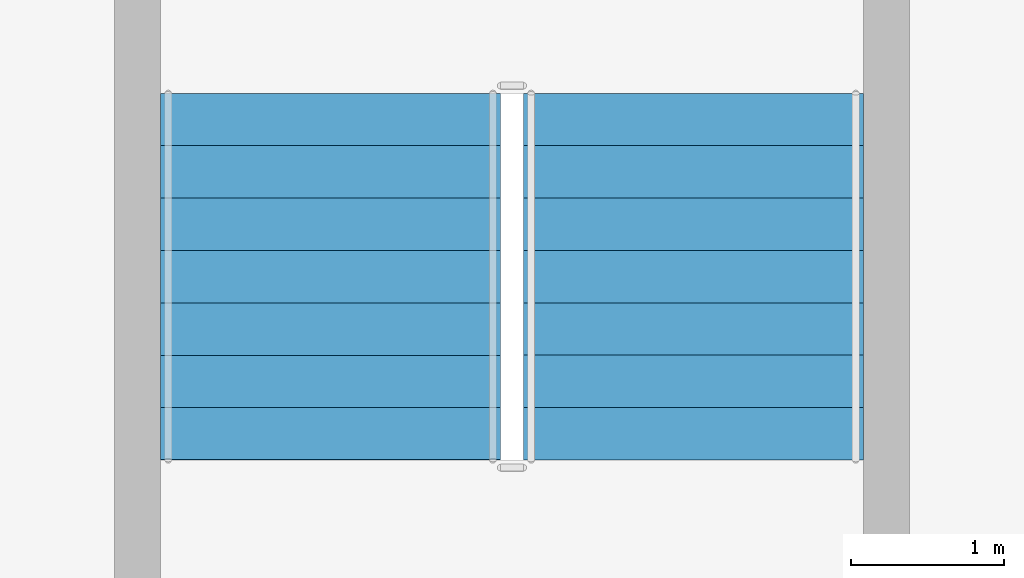
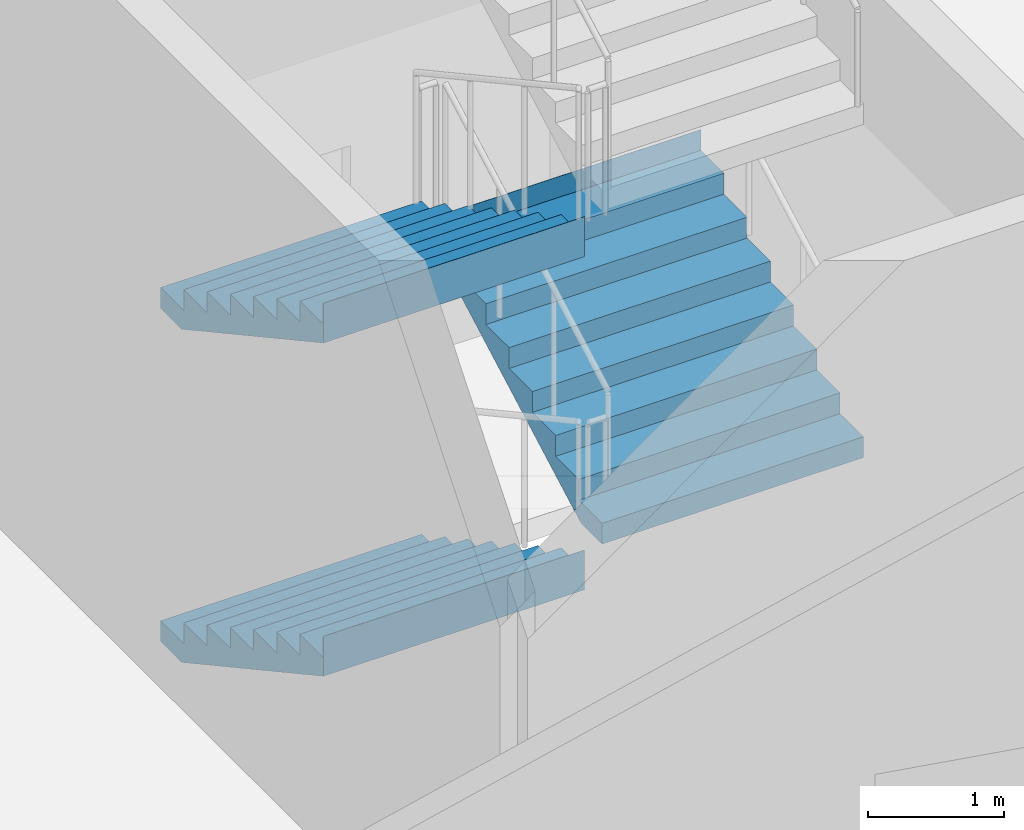
# One storey, part 27 of 37: 3 stair flights, 1 element without a shape of its own.
"""IFC4 building model written with IfcOpenShell, lengths in metres."""

from ifc_helpers import new_model, si_unit, direction, frame, origin, place, context, subcontext, project, spatial, triangles, material, type_object, element, aggregate, save


model = new_model("IFC4")

# Units and contexts
model_context = context("Model", 3, precision=1e-05, world=origin(), true_north=direction((0.0, 1.0)))
body_context = subcontext(model_context, "Body", "Model", "MODEL_VIEW")
ifc_project = project(units=[si_unit("LENGTHUNIT", "METRE"), si_unit("AREAUNIT", "SQUARE_METRE"), si_unit("VOLUMEUNIT", "CUBIC_METRE"), si_unit("PLANEANGLEUNIT", "RADIAN"), si_unit("MASSUNIT", "GRAM", prefix="KILO")], contexts=[model_context])

# Site, building, storey
site_placement = place(None, origin())
site = spatial("IfcSite", under=ifc_project, at=site_placement, CompositionType="ELEMENT")
building_placement = place(site_placement, origin())
building = spatial("IfcBuilding", under=site, at=building_placement, Name="Sahrelin Media Tower", CompositionType="ELEMENT")
storey_placement = place(building_placement, frame((0.0, 0.0, 31.39990234375)))
storey = spatial("IfcBuildingStorey", under=building, at=storey_placement, Name="L04", CompositionType="ELEMENT", Elevation=31.39990234375)

# Stair, stair flights
ifc_material = material(Name="Concrete C40/50", Category="concrete")
stair_type = type_object("IfcStairType", Name="Podium stair 2225", PredefinedType="HALF_TURN_STAIR", material=ifc_material)
stair_placement = place(storey_placement, origin())
stair = element("IfcStair", 1, at=stair_placement, inside=storey, type_object=stair_type, Name="L04 Podium stair PS3", PredefinedType="HALF_TURN_STAIR")
stair_flight_type = type_object("IfcStairFlightType", Name="Stair flight 2225", PredefinedType="STRAIGHT", material=ifc_material)
stair_flight_1_placement = place(storey_placement, frame((-11.83740234375, -30.625, 0.0), z_axis=(0.0, 0.0, 1.0), x_axis=(0.0, -1.0, 0.0)))
stair_flight_1 = element("IfcStairFlight", 2, at=stair_flight_1_placement, type_object=stair_flight_type, Name="PS3 flight 1", NumberOfRisers=8, NumberOfTreads=7, PredefinedType="STRAIGHT", RiserHeight=0.1875, TreadLength=0.342857143, context=body_context, shape_type="Tessellation", body=[
    triangles([(0.3125, 1.112548828125, 0.0), (0.3125, 0.794677734375, 0.0), (0.3125, 0.476806640625, 0.0), (0.3125, 0.158935546875, 0.0), (0.3125, -0.158935546875, 0.0), (0.3125, -0.476806640625, 0.0), (0.3125, -0.794677734375, 0.0), (0.3125, -1.112548828125, 0.0), (2.39990234375, 1.112548828125, 1.1416015625), (2.39990234375, 0.794677734375, 1.1416015625), (2.39990234375, 0.476806640625, 1.1416015625), (2.39990234375, 0.158935546875, 1.1416015625), (2.39990234375, -0.158935546875, 1.1416015625), (2.39990234375, -0.476806640625, 1.1416015625), (2.39990234375, -0.794677734375, 1.1416015625), (2.39990234375, -1.112548828125, 1.1416015625), (2.39990234375, 1.112548828125, 1.5), (2.39990234375, 0.794677734375, 1.5), (2.39990234375, 0.476806640625, 1.5), (2.39990234375, 0.158935546875, 1.5), (2.39990234375, -0.158935546875, 1.5), (2.39990234375, -0.476806640625, 1.5), (2.39990234375, -0.794677734375, 1.5), (2.39990234375, -1.112548828125, 1.5), (2.39794921875, 1.112548828125, 1.5), (2.39794921875, 0.794677734375, 1.5), (2.39794921875, 0.476806640625, 1.5), (2.39794921875, 0.158935546875, 1.5), (2.39794921875, -0.158935546875, 1.5), (2.39794921875, -0.476806640625, 1.5), (2.39794921875, -0.794677734375, 1.5), (2.39794921875, -1.112548828125, 1.5), (2.39794921875, 1.112548828125, 1.3125), (2.39794921875, 0.794677734375, 1.3125), (2.39794921875, 0.476806640625, 1.3125), (2.39794921875, 0.158935546875, 1.3125), (2.39794921875, -0.158935546875, 1.3125), (2.39794921875, -0.476806640625, 1.3125), (2.39794921875, -0.794677734375, 1.3125), (2.39794921875, -1.112548828125, 1.3125), (2.05712890625, 1.112548828125, 1.3125), (2.05712890625, 0.794677734375, 1.3125), (2.05712890625, 0.476806640625, 1.3125), (2.05712890625, 0.158935546875, 1.3125), (2.05712890625, -0.158935546875, 1.3125), (2.05712890625, -0.476806640625, 1.3125), (2.05712890625, -0.794677734375, 1.3125), (2.05712890625, -1.112548828125, 1.3125), (2.05712890625, 1.112548828125, 1.125), (2.05712890625, 0.794677734375, 1.125), (2.05712890625, 0.476806640625, 1.125), (2.05712890625, 0.158935546875, 1.125), (2.05712890625, -0.158935546875, 1.125), (2.05712890625, -0.476806640625, 1.125), (2.05712890625, -0.794677734375, 1.125), (2.05712890625, -1.112548828125, 1.125), (1.71435546875, 1.112548828125, 1.125), (1.71435546875, 0.794677734375, 1.125), (1.71435546875, 0.476806640625, 1.125), (1.71435546875, 0.158935546875, 1.125), (1.71435546875, -0.158935546875, 1.125), (1.71435546875, -0.476806640625, 1.125), (1.71435546875, -0.794677734375, 1.125), (1.71435546875, -1.112548828125, 1.125), (1.71435546875, 1.112548828125, 0.9375), (1.71435546875, 0.794677734375, 0.9375), (1.71435546875, 0.476806640625, 0.9375), (1.71435546875, 0.158935546875, 0.9375), (1.71435546875, -0.158935546875, 0.9375), (1.71435546875, -0.476806640625, 0.9375), (1.71435546875, -0.794677734375, 0.9375), (1.71435546875, -1.112548828125, 0.9375), (1.371337890625, 1.112548828125, 0.9375), (1.371337890625, 0.794677734375, 0.9375), (1.371337890625, 0.476806640625, 0.9375), (1.371337890625, 0.158935546875, 0.9375), (1.371337890625, -0.158935546875, 0.9375), (1.371337890625, -0.476806640625, 0.9375), (1.371337890625, -0.794677734375, 0.9375), (1.371337890625, -1.112548828125, 0.9375), (1.371337890625, 1.112548828125, 0.75), (1.371337890625, 0.794677734375, 0.75), (1.371337890625, 0.476806640625, 0.75), (1.371337890625, 0.158935546875, 0.75), (1.371337890625, -0.158935546875, 0.75), (1.371337890625, -0.476806640625, 0.75), (1.371337890625, -0.794677734375, 0.75), (1.371337890625, -1.112548828125, 0.75), (1.028564453125, 1.112548828125, 0.75), (1.028564453125, 0.794677734375, 0.75), (1.028564453125, 0.476806640625, 0.75), (1.028564453125, 0.158935546875, 0.75), (1.028564453125, -0.158935546875, 0.75), (1.028564453125, -0.476806640625, 0.75), (1.028564453125, -0.794677734375, 0.75), (1.028564453125, -1.112548828125, 0.75), (1.028564453125, 1.112548828125, 0.5625), (1.028564453125, 0.794677734375, 0.5625), (1.028564453125, 0.476806640625, 0.5625), (1.028564453125, 0.158935546875, 0.5625), (1.028564453125, -0.158935546875, 0.5625), (1.028564453125, -0.476806640625, 0.5625), (1.028564453125, -0.794677734375, 0.5625), (1.028564453125, -1.112548828125, 0.5625), (0.685791015625, 1.112548828125, 0.5625), (0.685791015625, 0.794677734375, 0.5625), (0.685791015625, 0.476806640625, 0.5625), (0.685791015625, 0.158935546875, 0.5625), (0.685791015625, -0.158935546875, 0.5625), (0.685791015625, -0.476806640625, 0.5625), (0.685791015625, -0.794677734375, 0.5625), (0.685791015625, -1.112548828125, 0.5625), (0.685791015625, 1.112548828125, 0.375), (0.685791015625, 0.794677734375, 0.375), (0.685791015625, 0.476806640625, 0.375), (0.685791015625, 0.158935546875, 0.375), (0.685791015625, -0.158935546875, 0.375), (0.685791015625, -0.476806640625, 0.375), (0.685791015625, -0.794677734375, 0.375), (0.685791015625, -1.112548828125, 0.375), (0.3427734375, 1.112548828125, 0.375), (0.3427734375, 0.794677734375, 0.375), (0.3427734375, 0.476806640625, 0.375), (0.3427734375, 0.158935546875, 0.375), (0.3427734375, -0.158935546875, 0.375), (0.3427734375, -0.476806640625, 0.375), (0.3427734375, -0.794677734375, 0.375), (0.3427734375, -1.112548828125, 0.375), (0.3427734375, 1.112548828125, 0.1875), (0.3427734375, 0.794677734375, 0.1875), (0.3427734375, 0.476806640625, 0.1875), (0.3427734375, 0.158935546875, 0.1875), (0.3427734375, -0.158935546875, 0.1875), (0.3427734375, -0.476806640625, 0.1875), (0.3427734375, -0.794677734375, 0.1875), (0.3427734375, -1.112548828125, 0.1875), (0.0, 1.112548828125, 0.1875), (0.0, 0.794677734375, 0.1875), (0.0, 0.476806640625, 0.1875), (0.0, 0.158935546875, 0.1875), (0.0, -0.158935546875, 0.1875), (0.0, -0.476806640625, 0.1875), (0.0, -0.794677734375, 0.1875), (0.0, -1.112548828125, 0.1875), (0.0, 1.112548828125, 0.0), (0.0, 0.794677734375, 0.0), (0.0, 0.476806640625, 0.0), (0.0, 0.158935546875, 0.0), (0.0, -0.158935546875, 0.0), (0.0, -0.476806640625, 0.0), (0.0, -0.794677734375, 0.0), (0.0, -1.112548828125, 0.0)], [[1, 9, 10], [1, 10, 2], [2, 10, 11], [2, 11, 3], [3, 11, 12], [3, 12, 4], [4, 12, 13], [4, 13, 5], [5, 13, 14], [5, 14, 6], [6, 14, 15], [6, 15, 7], [7, 15, 16], [7, 16, 8], [9, 17, 18], [9, 18, 10], [10, 18, 19], [10, 19, 11], [11, 19, 20], [11, 20, 12], [12, 20, 21], [12, 21, 13], [13, 21, 22], [13, 22, 14], [14, 22, 23], [14, 23, 15], [15, 23, 24], [15, 24, 16], [17, 25, 26], [17, 26, 18], [18, 26, 27], [18, 27, 19], [19, 27, 28], [19, 28, 20], [20, 28, 29], [20, 29, 21], [21, 29, 30], [21, 30, 22], [22, 30, 31], [22, 31, 23], [23, 31, 32], [23, 32, 24], [25, 33, 34], [25, 34, 26], [26, 34, 35], [26, 35, 27], [27, 35, 36], [27, 36, 28], [28, 36, 37], [28, 37, 29], [29, 37, 38], [29, 38, 30], [30, 38, 39], [30, 39, 31], [31, 39, 40], [31, 40, 32], [33, 41, 42], [33, 42, 34], [34, 42, 43], [34, 43, 35], [35, 43, 44], [35, 44, 36], [36, 44, 45], [36, 45, 37], [37, 45, 46], [37, 46, 38], [38, 46, 47], [38, 47, 39], [39, 47, 48], [39, 48, 40], [41, 49, 50], [41, 50, 42], [42, 50, 51], [42, 51, 43], [43, 51, 52], [43, 52, 44], [44, 52, 53], [44, 53, 45], [45, 53, 54], [45, 54, 46], [46, 54, 55], [46, 55, 47], [47, 55, 56], [47, 56, 48], [49, 57, 58], [49, 58, 50], [50, 58, 59], [50, 59, 51], [51, 59, 60], [51, 60, 52], [52, 60, 61], [52, 61, 53], [53, 61, 62], [53, 62, 54], [54, 62, 63], [54, 63, 55], [55, 63, 64], [55, 64, 56], [57, 65, 66], [57, 66, 58], [58, 66, 67], [58, 67, 59], [59, 67, 68], [59, 68, 60], [60, 68, 69], [60, 69, 61], [61, 69, 70], [61, 70, 62], [62, 70, 71], [62, 71, 63], [63, 71, 72], [63, 72, 64], [65, 73, 74], [65, 74, 66], [66, 74, 75], [66, 75, 67], [67, 75, 76], [67, 76, 68], [68, 76, 77], [68, 77, 69], [69, 77, 78], [69, 78, 70], [70, 78, 79], [70, 79, 71], [71, 79, 80], [71, 80, 72], [73, 81, 82], [73, 82, 74], [74, 82, 83], [74, 83, 75], [75, 83, 84], [75, 84, 76], [76, 84, 85], [76, 85, 77], [77, 85, 86], [77, 86, 78], [78, 86, 87], [78, 87, 79], [79, 87, 88], [79, 88, 80], [81, 89, 90], [81, 90, 82], [82, 90, 91], [82, 91, 83], [83, 91, 92], [83, 92, 84], [84, 92, 93], [84, 93, 85], [85, 93, 94], [85, 94, 86], [86, 94, 95], [86, 95, 87], [87, 95, 96], [87, 96, 88], [89, 97, 98], [89, 98, 90], [90, 98, 99], [90, 99, 91], [91, 99, 100], [91, 100, 92], [92, 100, 101], [92, 101, 93], [93, 101, 102], [93, 102, 94], [94, 102, 103], [94, 103, 95], [95, 103, 104], [95, 104, 96], [97, 105, 106], [97, 106, 98], [98, 106, 107], [98, 107, 99], [99, 107, 108], [99, 108, 100], [100, 108, 109], [100, 109, 101], [101, 109, 110], [101, 110, 102], [102, 110, 111], [102, 111, 103], [103, 111, 112], [103, 112, 104], [105, 113, 114], [105, 114, 106], [106, 114, 115], [106, 115, 107], [107, 115, 116], [107, 116, 108], [108, 116, 117], [108, 117, 109], [109, 117, 118], [109, 118, 110], [110, 118, 119], [110, 119, 111], [111, 119, 120], [111, 120, 112], [113, 121, 122], [113, 122, 114], [114, 122, 123], [114, 123, 115], [115, 123, 124], [115, 124, 116], [116, 124, 125], [116, 125, 117], [117, 125, 126], [117, 126, 118], [118, 126, 127], [118, 127, 119], [119, 127, 128], [119, 128, 120], [121, 129, 130], [121, 130, 122], [122, 130, 131], [122, 131, 123], [123, 131, 132], [123, 132, 124], [124, 132, 133], [124, 133, 125], [125, 133, 134], [125, 134, 126], [126, 134, 135], [126, 135, 127], [127, 135, 136], [127, 136, 128], [129, 137, 138], [129, 138, 130], [130, 138, 139], [130, 139, 131], [131, 139, 140], [131, 140, 132], [132, 140, 141], [132, 141, 133], [133, 141, 142], [133, 142, 134], [134, 142, 143], [134, 143, 135], [135, 143, 144], [135, 144, 136], [137, 145, 146], [137, 146, 138], [138, 146, 147], [138, 147, 139], [139, 147, 148], [139, 148, 140], [140, 148, 149], [140, 149, 141], [141, 149, 150], [141, 150, 142], [142, 150, 151], [142, 151, 143], [143, 151, 152], [143, 152, 144], [145, 1, 2], [145, 2, 146], [146, 2, 3], [146, 3, 147], [147, 3, 4], [147, 4, 148], [148, 4, 5], [148, 5, 149], [149, 5, 6], [149, 6, 150], [150, 6, 7], [150, 7, 151], [151, 7, 8], [151, 8, 152], [8, 144, 152], [1, 145, 137], [136, 120, 128], [129, 121, 113], [120, 104, 112], [113, 105, 97], [104, 88, 96], [97, 89, 81], [88, 72, 80], [81, 73, 65], [72, 56, 64], [65, 57, 49], [16, 40, 48], [9, 41, 33], [40, 24, 32], [33, 25, 17], [8, 136, 144], [1, 137, 129], [8, 88, 104], [1, 97, 81], [40, 16, 24], [33, 17, 9], [120, 136, 8], [113, 1, 129], [16, 72, 88], [9, 81, 65], [48, 56, 16], [41, 9, 49], [104, 120, 8], [97, 1, 113], [72, 16, 56], [65, 49, 9], [8, 16, 88], [1, 81, 9]], closed=True),
])
stair_flight_2_placement = place(storey_placement, frame((-9.46240234375, -33.02490234375, 1.5), z_axis=(0.0, 0.0, 1.0), x_axis=(0.0, 1.0, 0.0)))
stair_flight_2 = element("IfcStairFlight", 3, at=stair_flight_2_placement, type_object=stair_flight_type, Name="PS3 flight 2", NumberOfRisers=8, NumberOfTreads=7, PredefinedType="STRAIGHT", RiserHeight=0.1875, TreadLength=0.342857143, context=body_context, shape_type="Tessellation", body=[
    triangles([(0.3125, 1.112548828125, 0.0), (0.3125, 0.794677734375, 0.0), (0.3125, 0.476806640625, 0.0), (0.3125, 0.158935546875, 0.0), (0.3125, -0.158935546875, 0.0), (0.3125, -0.476806640625, 0.0), (0.3125, -0.794677734375, 0.0), (0.3125, -1.112548828125, 0.0), (2.39990234375, 1.112548828125, 1.1416015625), (2.39990234375, 0.794677734375, 1.1416015625), (2.39990234375, 0.476806640625, 1.1416015625), (2.39990234375, 0.158935546875, 1.1416015625), (2.39990234375, -0.158935546875, 1.1416015625), (2.39990234375, -0.476806640625, 1.1416015625), (2.39990234375, -0.794677734375, 1.1416015625), (2.39990234375, -1.112548828125, 1.1416015625), (2.39990234375, 1.112548828125, 1.5), (2.39990234375, 0.794677734375, 1.5), (2.39990234375, 0.476806640625, 1.5), (2.39990234375, 0.158935546875, 1.5), (2.39990234375, -0.158935546875, 1.5), (2.39990234375, -0.476806640625, 1.5), (2.39990234375, -0.794677734375, 1.5), (2.39990234375, -1.112548828125, 1.5), (2.39794921875, 1.112548828125, 1.5), (2.39794921875, 0.794677734375, 1.5), (2.39794921875, 0.476806640625, 1.5), (2.39794921875, 0.158935546875, 1.5), (2.39794921875, -0.158935546875, 1.5), (2.39794921875, -0.476806640625, 1.5), (2.39794921875, -0.794677734375, 1.5), (2.39794921875, -1.112548828125, 1.5), (2.39794921875, 1.112548828125, 1.3125), (2.39794921875, 0.794677734375, 1.3125), (2.39794921875, 0.476806640625, 1.3125), (2.39794921875, 0.158935546875, 1.3125), (2.39794921875, -0.158935546875, 1.3125), (2.39794921875, -0.476806640625, 1.3125), (2.39794921875, -0.794677734375, 1.3125), (2.39794921875, -1.112548828125, 1.3125), (2.05712890625, 1.112548828125, 1.3125), (2.05712890625, 0.794677734375, 1.3125), (2.05712890625, 0.476806640625, 1.3125), (2.05712890625, 0.158935546875, 1.3125), (2.05712890625, -0.158935546875, 1.3125), (2.05712890625, -0.476806640625, 1.3125), (2.05712890625, -0.794677734375, 1.3125), (2.05712890625, -1.112548828125, 1.3125), (2.05712890625, 1.112548828125, 1.125), (2.05712890625, 0.794677734375, 1.125), (2.05712890625, 0.476806640625, 1.125), (2.05712890625, 0.158935546875, 1.125), (2.05712890625, -0.158935546875, 1.125), (2.05712890625, -0.476806640625, 1.125), (2.05712890625, -0.794677734375, 1.125), (2.05712890625, -1.112548828125, 1.125), (1.71435546875, 1.112548828125, 1.125), (1.71435546875, 0.794677734375, 1.125), (1.71435546875, 0.476806640625, 1.125), (1.71435546875, 0.158935546875, 1.125), (1.71435546875, -0.158935546875, 1.125), (1.71435546875, -0.476806640625, 1.125), (1.71435546875, -0.794677734375, 1.125), (1.71435546875, -1.112548828125, 1.125), (1.71435546875, 1.112548828125, 0.9375), (1.71435546875, 0.794677734375, 0.9375), (1.71435546875, 0.476806640625, 0.9375), (1.71435546875, 0.158935546875, 0.9375), (1.71435546875, -0.158935546875, 0.9375), (1.71435546875, -0.476806640625, 0.9375), (1.71435546875, -0.794677734375, 0.9375), (1.71435546875, -1.112548828125, 0.9375), (1.371337890625, 1.112548828125, 0.9375), (1.371337890625, 0.794677734375, 0.9375), (1.371337890625, 0.476806640625, 0.9375), (1.371337890625, 0.158935546875, 0.9375), (1.371337890625, -0.158935546875, 0.9375), (1.371337890625, -0.476806640625, 0.9375), (1.371337890625, -0.794677734375, 0.9375), (1.371337890625, -1.112548828125, 0.9375), (1.371337890625, 1.112548828125, 0.75), (1.371337890625, 0.794677734375, 0.75), (1.371337890625, 0.476806640625, 0.75), (1.371337890625, 0.158935546875, 0.75), (1.371337890625, -0.158935546875, 0.75), (1.371337890625, -0.476806640625, 0.75), (1.371337890625, -0.794677734375, 0.75), (1.371337890625, -1.112548828125, 0.75), (1.028564453125, 1.112548828125, 0.75), (1.028564453125, 0.794677734375, 0.75), (1.028564453125, 0.476806640625, 0.75), (1.028564453125, 0.158935546875, 0.75), (1.028564453125, -0.158935546875, 0.75), (1.028564453125, -0.476806640625, 0.75), (1.028564453125, -0.794677734375, 0.75), (1.028564453125, -1.112548828125, 0.75), (1.028564453125, 1.112548828125, 0.5625), (1.028564453125, 0.794677734375, 0.5625), (1.028564453125, 0.476806640625, 0.5625), (1.028564453125, 0.158935546875, 0.5625), (1.028564453125, -0.158935546875, 0.5625), (1.028564453125, -0.476806640625, 0.5625), (1.028564453125, -0.794677734375, 0.5625), (1.028564453125, -1.112548828125, 0.5625), (0.685791015625, 1.112548828125, 0.5625), (0.685791015625, 0.794677734375, 0.5625), (0.685791015625, 0.476806640625, 0.5625), (0.685791015625, 0.158935546875, 0.5625), (0.685791015625, -0.158935546875, 0.5625), (0.685791015625, -0.476806640625, 0.5625), (0.685791015625, -0.794677734375, 0.5625), (0.685791015625, -1.112548828125, 0.5625), (0.685791015625, 1.112548828125, 0.375), (0.685791015625, 0.794677734375, 0.375), (0.685791015625, 0.476806640625, 0.375), (0.685791015625, 0.158935546875, 0.375), (0.685791015625, -0.158935546875, 0.375), (0.685791015625, -0.476806640625, 0.375), (0.685791015625, -0.794677734375, 0.375), (0.685791015625, -1.112548828125, 0.375), (0.3427734375, 1.112548828125, 0.375), (0.3427734375, 0.794677734375, 0.375), (0.3427734375, 0.476806640625, 0.375), (0.3427734375, 0.158935546875, 0.375), (0.3427734375, -0.158935546875, 0.375), (0.3427734375, -0.476806640625, 0.375), (0.3427734375, -0.794677734375, 0.375), (0.3427734375, -1.112548828125, 0.375), (0.3427734375, 1.112548828125, 0.1875), (0.3427734375, 0.794677734375, 0.1875), (0.3427734375, 0.476806640625, 0.1875), (0.3427734375, 0.158935546875, 0.1875), (0.3427734375, -0.158935546875, 0.1875), (0.3427734375, -0.476806640625, 0.1875), (0.3427734375, -0.794677734375, 0.1875), (0.3427734375, -1.112548828125, 0.1875), (0.0, 1.112548828125, 0.1875), (0.0, 0.794677734375, 0.1875), (0.0, 0.476806640625, 0.1875), (0.0, 0.158935546875, 0.1875), (0.0, -0.158935546875, 0.1875), (0.0, -0.476806640625, 0.1875), (0.0, -0.794677734375, 0.1875), (0.0, -1.112548828125, 0.1875), (0.0, 1.112548828125, 0.0), (0.0, 0.794677734375, 0.0), (0.0, 0.476806640625, 0.0), (0.0, 0.158935546875, 0.0), (0.0, -0.158935546875, 0.0), (0.0, -0.476806640625, 0.0), (0.0, -0.794677734375, 0.0), (0.0, -1.112548828125, 0.0)], [[1, 9, 10], [1, 10, 2], [2, 10, 11], [2, 11, 3], [3, 11, 12], [3, 12, 4], [4, 12, 13], [4, 13, 5], [5, 13, 14], [5, 14, 6], [6, 14, 15], [6, 15, 7], [7, 15, 16], [7, 16, 8], [9, 17, 18], [9, 18, 10], [10, 18, 19], [10, 19, 11], [11, 19, 20], [11, 20, 12], [12, 20, 21], [12, 21, 13], [13, 21, 22], [13, 22, 14], [14, 22, 23], [14, 23, 15], [15, 23, 24], [15, 24, 16], [17, 25, 26], [17, 26, 18], [18, 26, 27], [18, 27, 19], [19, 27, 28], [19, 28, 20], [20, 28, 29], [20, 29, 21], [21, 29, 30], [21, 30, 22], [22, 30, 31], [22, 31, 23], [23, 31, 32], [23, 32, 24], [25, 33, 34], [25, 34, 26], [26, 34, 35], [26, 35, 27], [27, 35, 36], [27, 36, 28], [28, 36, 37], [28, 37, 29], [29, 37, 38], [29, 38, 30], [30, 38, 39], [30, 39, 31], [31, 39, 40], [31, 40, 32], [33, 41, 42], [33, 42, 34], [34, 42, 43], [34, 43, 35], [35, 43, 44], [35, 44, 36], [36, 44, 45], [36, 45, 37], [37, 45, 46], [37, 46, 38], [38, 46, 47], [38, 47, 39], [39, 47, 48], [39, 48, 40], [41, 49, 50], [41, 50, 42], [42, 50, 51], [42, 51, 43], [43, 51, 52], [43, 52, 44], [44, 52, 53], [44, 53, 45], [45, 53, 54], [45, 54, 46], [46, 54, 55], [46, 55, 47], [47, 55, 56], [47, 56, 48], [49, 57, 58], [49, 58, 50], [50, 58, 59], [50, 59, 51], [51, 59, 60], [51, 60, 52], [52, 60, 61], [52, 61, 53], [53, 61, 62], [53, 62, 54], [54, 62, 63], [54, 63, 55], [55, 63, 64], [55, 64, 56], [57, 65, 66], [57, 66, 58], [58, 66, 67], [58, 67, 59], [59, 67, 68], [59, 68, 60], [60, 68, 69], [60, 69, 61], [61, 69, 70], [61, 70, 62], [62, 70, 71], [62, 71, 63], [63, 71, 72], [63, 72, 64], [65, 73, 74], [65, 74, 66], [66, 74, 75], [66, 75, 67], [67, 75, 76], [67, 76, 68], [68, 76, 77], [68, 77, 69], [69, 77, 78], [69, 78, 70], [70, 78, 79], [70, 79, 71], [71, 79, 80], [71, 80, 72], [73, 81, 82], [73, 82, 74], [74, 82, 83], [74, 83, 75], [75, 83, 84], [75, 84, 76], [76, 84, 85], [76, 85, 77], [77, 85, 86], [77, 86, 78], [78, 86, 87], [78, 87, 79], [79, 87, 88], [79, 88, 80], [81, 89, 90], [81, 90, 82], [82, 90, 91], [82, 91, 83], [83, 91, 92], [83, 92, 84], [84, 92, 93], [84, 93, 85], [85, 93, 94], [85, 94, 86], [86, 94, 95], [86, 95, 87], [87, 95, 96], [87, 96, 88], [89, 97, 98], [89, 98, 90], [90, 98, 99], [90, 99, 91], [91, 99, 100], [91, 100, 92], [92, 100, 101], [92, 101, 93], [93, 101, 102], [93, 102, 94], [94, 102, 103], [94, 103, 95], [95, 103, 104], [95, 104, 96], [97, 105, 106], [97, 106, 98], [98, 106, 107], [98, 107, 99], [99, 107, 108], [99, 108, 100], [100, 108, 109], [100, 109, 101], [101, 109, 110], [101, 110, 102], [102, 110, 111], [102, 111, 103], [103, 111, 112], [103, 112, 104], [105, 113, 114], [105, 114, 106], [106, 114, 115], [106, 115, 107], [107, 115, 116], [107, 116, 108], [108, 116, 117], [108, 117, 109], [109, 117, 118], [109, 118, 110], [110, 118, 119], [110, 119, 111], [111, 119, 120], [111, 120, 112], [113, 121, 122], [113, 122, 114], [114, 122, 123], [114, 123, 115], [115, 123, 124], [115, 124, 116], [116, 124, 125], [116, 125, 117], [117, 125, 126], [117, 126, 118], [118, 126, 127], [118, 127, 119], [119, 127, 128], [119, 128, 120], [121, 129, 130], [121, 130, 122], [122, 130, 131], [122, 131, 123], [123, 131, 132], [123, 132, 124], [124, 132, 133], [124, 133, 125], [125, 133, 134], [125, 134, 126], [126, 134, 135], [126, 135, 127], [127, 135, 136], [127, 136, 128], [129, 137, 138], [129, 138, 130], [130, 138, 139], [130, 139, 131], [131, 139, 140], [131, 140, 132], [132, 140, 141], [132, 141, 133], [133, 141, 142], [133, 142, 134], [134, 142, 143], [134, 143, 135], [135, 143, 144], [135, 144, 136], [137, 145, 146], [137, 146, 138], [138, 146, 147], [138, 147, 139], [139, 147, 148], [139, 148, 140], [140, 148, 149], [140, 149, 141], [141, 149, 150], [141, 150, 142], [142, 150, 151], [142, 151, 143], [143, 151, 152], [143, 152, 144], [145, 1, 2], [145, 2, 146], [146, 2, 3], [146, 3, 147], [147, 3, 4], [147, 4, 148], [148, 4, 5], [148, 5, 149], [149, 5, 6], [149, 6, 150], [150, 6, 7], [150, 7, 151], [151, 7, 8], [151, 8, 152], [8, 144, 152], [1, 145, 137], [136, 120, 128], [129, 121, 113], [120, 104, 112], [113, 105, 97], [104, 88, 96], [97, 89, 81], [88, 72, 80], [81, 73, 65], [72, 56, 64], [65, 57, 49], [16, 40, 48], [9, 41, 33], [40, 24, 32], [33, 25, 17], [8, 136, 144], [1, 137, 129], [8, 88, 104], [1, 97, 81], [40, 16, 24], [33, 17, 9], [120, 136, 8], [113, 1, 129], [16, 72, 88], [9, 81, 65], [48, 56, 16], [41, 9, 49], [104, 120, 8], [97, 1, 113], [72, 16, 56], [65, 49, 9], [8, 16, 88], [1, 81, 9]], closed=True),
])
stair_flight_3_placement = place(storey_placement, frame((-11.83740234375, -30.625, 3.0), z_axis=(0.0, 0.0, 1.0), x_axis=(0.0, -1.0, 0.0)))
stair_flight_3 = element("IfcStairFlight", 4, at=stair_flight_3_placement, type_object=stair_flight_type, Name="PS3 flight 3", NumberOfRisers=8, NumberOfTreads=7, PredefinedType="STRAIGHT", RiserHeight=0.1875, TreadLength=0.342857143, context=body_context, shape_type="Tessellation", body=[
    triangles([(0.3125, 1.112548828125, 0.0), (0.3125, 0.794677734375, 0.0), (0.3125, 0.476806640625, 0.0), (0.3125, 0.158935546875, 0.0), (0.3125, -0.158935546875, 0.0), (0.3125, -0.476806640625, 0.0), (0.3125, -0.794677734375, 0.0), (0.3125, -1.112548828125, 0.0), (2.39990234375, 1.112548828125, 1.1416015625), (2.39990234375, 0.794677734375, 1.1416015625), (2.39990234375, 0.476806640625, 1.1416015625), (2.39990234375, 0.158935546875, 1.1416015625), (2.39990234375, -0.158935546875, 1.1416015625), (2.39990234375, -0.476806640625, 1.1416015625), (2.39990234375, -0.794677734375, 1.1416015625), (2.39990234375, -1.112548828125, 1.1416015625), (2.39990234375, 1.112548828125, 1.5), (2.39990234375, 0.794677734375, 1.5), (2.39990234375, 0.476806640625, 1.5), (2.39990234375, 0.158935546875, 1.5), (2.39990234375, -0.158935546875, 1.5), (2.39990234375, -0.476806640625, 1.5), (2.39990234375, -0.794677734375, 1.5), (2.39990234375, -1.112548828125, 1.5), (2.39794921875, 1.112548828125, 1.5), (2.39794921875, 0.794677734375, 1.5), (2.39794921875, 0.476806640625, 1.5), (2.39794921875, 0.158935546875, 1.5), (2.39794921875, -0.158935546875, 1.5), (2.39794921875, -0.476806640625, 1.5), (2.39794921875, -0.794677734375, 1.5), (2.39794921875, -1.112548828125, 1.5), (2.39794921875, 1.112548828125, 1.3125), (2.39794921875, 0.794677734375, 1.3125), (2.39794921875, 0.476806640625, 1.3125), (2.39794921875, 0.158935546875, 1.3125), (2.39794921875, -0.158935546875, 1.3125), (2.39794921875, -0.476806640625, 1.3125), (2.39794921875, -0.794677734375, 1.3125), (2.39794921875, -1.112548828125, 1.3125), (2.05712890625, 1.112548828125, 1.3125), (2.05712890625, 0.794677734375, 1.3125), (2.05712890625, 0.476806640625, 1.3125), (2.05712890625, 0.158935546875, 1.3125), (2.05712890625, -0.158935546875, 1.3125), (2.05712890625, -0.476806640625, 1.3125), (2.05712890625, -0.794677734375, 1.3125), (2.05712890625, -1.112548828125, 1.3125), (2.05712890625, 1.112548828125, 1.125), (2.05712890625, 0.794677734375, 1.125), (2.05712890625, 0.476806640625, 1.125), (2.05712890625, 0.158935546875, 1.125), (2.05712890625, -0.158935546875, 1.125), (2.05712890625, -0.476806640625, 1.125), (2.05712890625, -0.794677734375, 1.125), (2.05712890625, -1.112548828125, 1.125), (1.71435546875, 1.112548828125, 1.125), (1.71435546875, 0.794677734375, 1.125), (1.71435546875, 0.476806640625, 1.125), (1.71435546875, 0.158935546875, 1.125), (1.71435546875, -0.158935546875, 1.125), (1.71435546875, -0.476806640625, 1.125), (1.71435546875, -0.794677734375, 1.125), (1.71435546875, -1.112548828125, 1.125), (1.71435546875, 1.112548828125, 0.9375), (1.71435546875, 0.794677734375, 0.9375), (1.71435546875, 0.476806640625, 0.9375), (1.71435546875, 0.158935546875, 0.9375), (1.71435546875, -0.158935546875, 0.9375), (1.71435546875, -0.476806640625, 0.9375), (1.71435546875, -0.794677734375, 0.9375), (1.71435546875, -1.112548828125, 0.9375), (1.371337890625, 1.112548828125, 0.9375), (1.371337890625, 0.794677734375, 0.9375), (1.371337890625, 0.476806640625, 0.9375), (1.371337890625, 0.158935546875, 0.9375), (1.371337890625, -0.158935546875, 0.9375), (1.371337890625, -0.476806640625, 0.9375), (1.371337890625, -0.794677734375, 0.9375), (1.371337890625, -1.112548828125, 0.9375), (1.371337890625, 1.112548828125, 0.75), (1.371337890625, 0.794677734375, 0.75), (1.371337890625, 0.476806640625, 0.75), (1.371337890625, 0.158935546875, 0.75), (1.371337890625, -0.158935546875, 0.75), (1.371337890625, -0.476806640625, 0.75), (1.371337890625, -0.794677734375, 0.75), (1.371337890625, -1.112548828125, 0.75), (1.028564453125, 1.112548828125, 0.75), (1.028564453125, 0.794677734375, 0.75), (1.028564453125, 0.476806640625, 0.75), (1.028564453125, 0.158935546875, 0.75), (1.028564453125, -0.158935546875, 0.75), (1.028564453125, -0.476806640625, 0.75), (1.028564453125, -0.794677734375, 0.75), (1.028564453125, -1.112548828125, 0.75), (1.028564453125, 1.112548828125, 0.5625), (1.028564453125, 0.794677734375, 0.5625), (1.028564453125, 0.476806640625, 0.5625), (1.028564453125, 0.158935546875, 0.5625), (1.028564453125, -0.158935546875, 0.5625), (1.028564453125, -0.476806640625, 0.5625), (1.028564453125, -0.794677734375, 0.5625), (1.028564453125, -1.112548828125, 0.5625), (0.685791015625, 1.112548828125, 0.5625), (0.685791015625, 0.794677734375, 0.5625), (0.685791015625, 0.476806640625, 0.5625), (0.685791015625, 0.158935546875, 0.5625), (0.685791015625, -0.158935546875, 0.5625), (0.685791015625, -0.476806640625, 0.5625), (0.685791015625, -0.794677734375, 0.5625), (0.685791015625, -1.112548828125, 0.5625), (0.685791015625, 1.112548828125, 0.375), (0.685791015625, 0.794677734375, 0.375), (0.685791015625, 0.476806640625, 0.375), (0.685791015625, 0.158935546875, 0.375), (0.685791015625, -0.158935546875, 0.375), (0.685791015625, -0.476806640625, 0.375), (0.685791015625, -0.794677734375, 0.375), (0.685791015625, -1.112548828125, 0.375), (0.3427734375, 1.112548828125, 0.375), (0.3427734375, 0.794677734375, 0.375), (0.3427734375, 0.476806640625, 0.375), (0.3427734375, 0.158935546875, 0.375), (0.3427734375, -0.158935546875, 0.375), (0.3427734375, -0.476806640625, 0.375), (0.3427734375, -0.794677734375, 0.375), (0.3427734375, -1.112548828125, 0.375), (0.3427734375, 1.112548828125, 0.1875), (0.3427734375, 0.794677734375, 0.1875), (0.3427734375, 0.476806640625, 0.1875), (0.3427734375, 0.158935546875, 0.1875), (0.3427734375, -0.158935546875, 0.1875), (0.3427734375, -0.476806640625, 0.1875), (0.3427734375, -0.794677734375, 0.1875), (0.3427734375, -1.112548828125, 0.1875), (0.0, 1.112548828125, 0.1875), (0.0, 0.794677734375, 0.1875), (0.0, 0.476806640625, 0.1875), (0.0, 0.158935546875, 0.1875), (0.0, -0.158935546875, 0.1875), (0.0, -0.476806640625, 0.1875), (0.0, -0.794677734375, 0.1875), (0.0, -1.112548828125, 0.1875), (0.0, 1.112548828125, 0.0), (0.0, 0.794677734375, 0.0), (0.0, 0.476806640625, 0.0), (0.0, 0.158935546875, 0.0), (0.0, -0.158935546875, 0.0), (0.0, -0.476806640625, 0.0), (0.0, -0.794677734375, 0.0), (0.0, -1.112548828125, 0.0)], [[1, 9, 10], [1, 10, 2], [2, 10, 11], [2, 11, 3], [3, 11, 12], [3, 12, 4], [4, 12, 13], [4, 13, 5], [5, 13, 14], [5, 14, 6], [6, 14, 15], [6, 15, 7], [7, 15, 16], [7, 16, 8], [9, 17, 18], [9, 18, 10], [10, 18, 19], [10, 19, 11], [11, 19, 20], [11, 20, 12], [12, 20, 21], [12, 21, 13], [13, 21, 22], [13, 22, 14], [14, 22, 23], [14, 23, 15], [15, 23, 24], [15, 24, 16], [17, 25, 26], [17, 26, 18], [18, 26, 27], [18, 27, 19], [19, 27, 28], [19, 28, 20], [20, 28, 29], [20, 29, 21], [21, 29, 30], [21, 30, 22], [22, 30, 31], [22, 31, 23], [23, 31, 32], [23, 32, 24], [25, 33, 34], [25, 34, 26], [26, 34, 35], [26, 35, 27], [27, 35, 36], [27, 36, 28], [28, 36, 37], [28, 37, 29], [29, 37, 38], [29, 38, 30], [30, 38, 39], [30, 39, 31], [31, 39, 40], [31, 40, 32], [33, 41, 42], [33, 42, 34], [34, 42, 43], [34, 43, 35], [35, 43, 44], [35, 44, 36], [36, 44, 45], [36, 45, 37], [37, 45, 46], [37, 46, 38], [38, 46, 47], [38, 47, 39], [39, 47, 48], [39, 48, 40], [41, 49, 50], [41, 50, 42], [42, 50, 51], [42, 51, 43], [43, 51, 52], [43, 52, 44], [44, 52, 53], [44, 53, 45], [45, 53, 54], [45, 54, 46], [46, 54, 55], [46, 55, 47], [47, 55, 56], [47, 56, 48], [49, 57, 58], [49, 58, 50], [50, 58, 59], [50, 59, 51], [51, 59, 60], [51, 60, 52], [52, 60, 61], [52, 61, 53], [53, 61, 62], [53, 62, 54], [54, 62, 63], [54, 63, 55], [55, 63, 64], [55, 64, 56], [57, 65, 66], [57, 66, 58], [58, 66, 67], [58, 67, 59], [59, 67, 68], [59, 68, 60], [60, 68, 69], [60, 69, 61], [61, 69, 70], [61, 70, 62], [62, 70, 71], [62, 71, 63], [63, 71, 72], [63, 72, 64], [65, 73, 74], [65, 74, 66], [66, 74, 75], [66, 75, 67], [67, 75, 76], [67, 76, 68], [68, 76, 77], [68, 77, 69], [69, 77, 78], [69, 78, 70], [70, 78, 79], [70, 79, 71], [71, 79, 80], [71, 80, 72], [73, 81, 82], [73, 82, 74], [74, 82, 83], [74, 83, 75], [75, 83, 84], [75, 84, 76], [76, 84, 85], [76, 85, 77], [77, 85, 86], [77, 86, 78], [78, 86, 87], [78, 87, 79], [79, 87, 88], [79, 88, 80], [81, 89, 90], [81, 90, 82], [82, 90, 91], [82, 91, 83], [83, 91, 92], [83, 92, 84], [84, 92, 93], [84, 93, 85], [85, 93, 94], [85, 94, 86], [86, 94, 95], [86, 95, 87], [87, 95, 96], [87, 96, 88], [89, 97, 98], [89, 98, 90], [90, 98, 99], [90, 99, 91], [91, 99, 100], [91, 100, 92], [92, 100, 101], [92, 101, 93], [93, 101, 102], [93, 102, 94], [94, 102, 103], [94, 103, 95], [95, 103, 104], [95, 104, 96], [97, 105, 106], [97, 106, 98], [98, 106, 107], [98, 107, 99], [99, 107, 108], [99, 108, 100], [100, 108, 109], [100, 109, 101], [101, 109, 110], [101, 110, 102], [102, 110, 111], [102, 111, 103], [103, 111, 112], [103, 112, 104], [105, 113, 114], [105, 114, 106], [106, 114, 115], [106, 115, 107], [107, 115, 116], [107, 116, 108], [108, 116, 117], [108, 117, 109], [109, 117, 118], [109, 118, 110], [110, 118, 119], [110, 119, 111], [111, 119, 120], [111, 120, 112], [113, 121, 122], [113, 122, 114], [114, 122, 123], [114, 123, 115], [115, 123, 124], [115, 124, 116], [116, 124, 125], [116, 125, 117], [117, 125, 126], [117, 126, 118], [118, 126, 127], [118, 127, 119], [119, 127, 128], [119, 128, 120], [121, 129, 130], [121, 130, 122], [122, 130, 131], [122, 131, 123], [123, 131, 132], [123, 132, 124], [124, 132, 133], [124, 133, 125], [125, 133, 134], [125, 134, 126], [126, 134, 135], [126, 135, 127], [127, 135, 136], [127, 136, 128], [129, 137, 138], [129, 138, 130], [130, 138, 139], [130, 139, 131], [131, 139, 140], [131, 140, 132], [132, 140, 141], [132, 141, 133], [133, 141, 142], [133, 142, 134], [134, 142, 143], [134, 143, 135], [135, 143, 144], [135, 144, 136], [137, 145, 146], [137, 146, 138], [138, 146, 147], [138, 147, 139], [139, 147, 148], [139, 148, 140], [140, 148, 149], [140, 149, 141], [141, 149, 150], [141, 150, 142], [142, 150, 151], [142, 151, 143], [143, 151, 152], [143, 152, 144], [145, 1, 2], [145, 2, 146], [146, 2, 3], [146, 3, 147], [147, 3, 4], [147, 4, 148], [148, 4, 5], [148, 5, 149], [149, 5, 6], [149, 6, 150], [150, 6, 7], [150, 7, 151], [151, 7, 8], [151, 8, 152], [8, 144, 152], [1, 145, 137], [136, 120, 128], [129, 121, 113], [120, 104, 112], [113, 105, 97], [104, 88, 96], [97, 89, 81], [88, 72, 80], [81, 73, 65], [72, 56, 64], [65, 57, 49], [16, 40, 48], [9, 41, 33], [40, 24, 32], [33, 25, 17], [8, 136, 144], [1, 137, 129], [8, 88, 104], [1, 97, 81], [40, 16, 24], [33, 17, 9], [120, 136, 8], [113, 1, 129], [16, 72, 88], [9, 81, 65], [48, 56, 16], [41, 9, 49], [104, 120, 8], [97, 1, 113], [72, 16, 56], [65, 49, 9], [8, 16, 88], [1, 81, 9]], closed=True),
])
aggregate(stair, [stair_flight_1, stair_flight_2, stair_flight_3])

save(model, "model.ifc")
